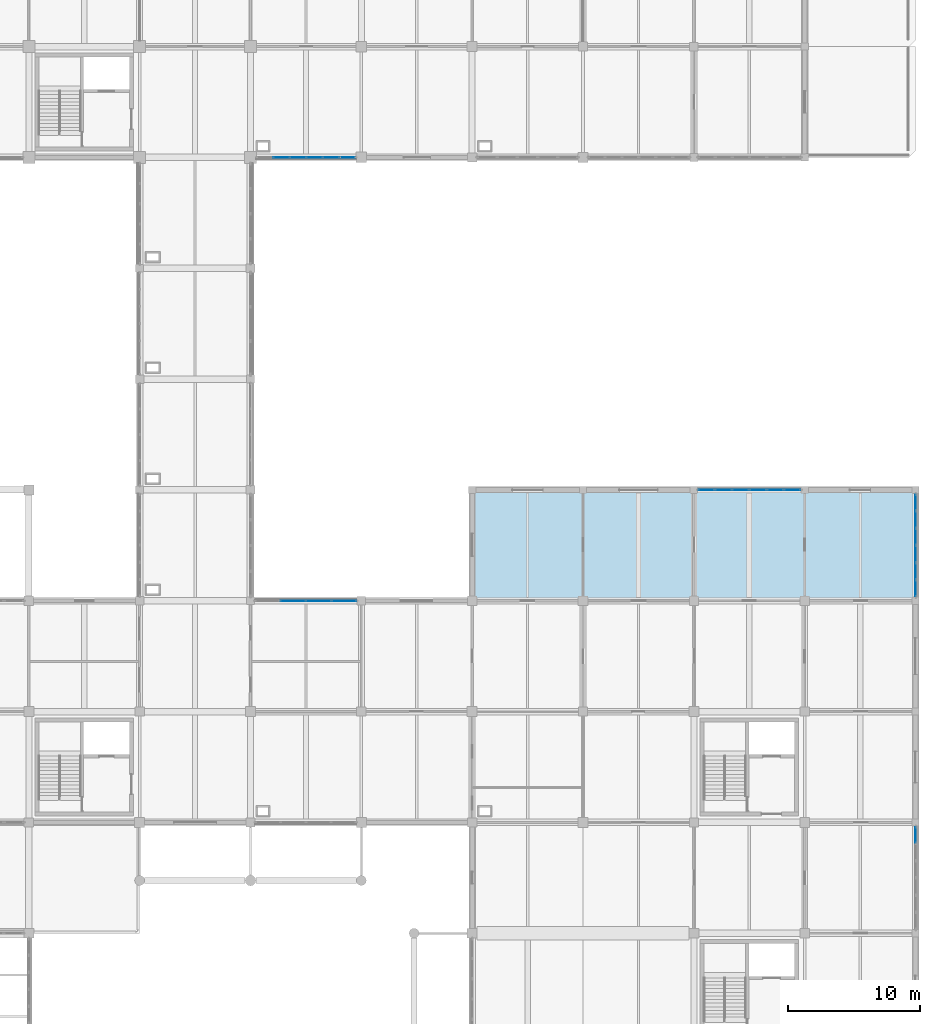
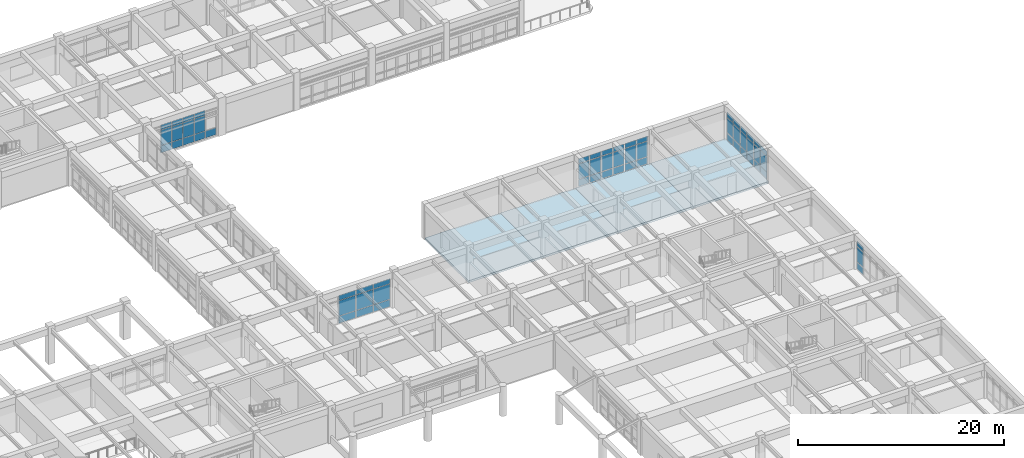
# One storey, part 75 of 99: 61 plates, 4 slabs, 5 elements without a shape of their own.
"""IFC4 building model written with IfcOpenShell, lengths in metres."""

from ifc_helpers import new_model, si_unit, direction, frame, origin, origin_2d, place, context, subcontext, project, spatial, polyline, rectangle, outline, extrude, material, layer, layer_set, type_object, element, aggregate, save


model = new_model("IFC4")

# Units and contexts
model_context = context("Model", 3, precision=1e-05, world=origin(), true_north=direction((0.0, 1.0)))
body_context = subcontext(model_context, "Body", "Model", "MODEL_VIEW")
ifc_project = project(units=[si_unit("LENGTHUNIT", "METRE"), si_unit("AREAUNIT", "SQUARE_METRE"), si_unit("VOLUMEUNIT", "CUBIC_METRE"), si_unit("PLANEANGLEUNIT", "RADIAN"), si_unit("MASSUNIT", "GRAM", prefix="KILO")], contexts=[model_context])

# Site, building, storey
site_placement = place(None, origin())
site = spatial("IfcSite", under=ifc_project, at=site_placement, CompositionType="ELEMENT")
building_placement = place(site_placement, origin())
building = spatial("IfcBuilding", under=site, at=building_placement, Name="Porcellanite Civic Hall", CompositionType="ELEMENT")
storey_placement = place(building_placement, frame((0.0, 0.0, 5.760009765625)))
storey = spatial("IfcBuildingStorey", under=building, at=storey_placement, Name="L01", CompositionType="ELEMENT", Elevation=5.760009765625)

# Curtain wall, plates
ifc_material_1 = material(Name="Anodised aluminium and solar laminated glass", Category="aluminium")
ifc_layer_1 = layer(ifc_material_1, 0.179931640625)
ifc_layer_set_1 = layer_set([ifc_layer_1], Name="Anodised aluminium and solar laminated glass")
curtain_wall_type_1 = type_object("IfcCurtainWallType", Name="CW-SYS02", PredefinedType="NOTDEFINED", material=ifc_layer_set_1)
curtain_wall_1_placement = place(storey_placement, origin())
curtain_wall_1 = element("IfcCurtainWall", 1, at=curtain_wall_1_placement, inside=storey, type_object=curtain_wall_type_1, Name="Curtain wall CW-126", PredefinedType="NOTDEFINED")
ifc_material_2 = material(Name="Cyclone laminated solar-control low-E glass", Category="glass")
ifc_layer_2 = layer(ifc_material_2, 0.02587890625)
ifc_layer_set_2 = layer_set([ifc_layer_2], Name="Cyclone laminated solar-control low-E glass")
plate_type_1 = type_object("IfcPlateType", Name="CWP-02", PredefinedType="CURTAIN_PANEL", material=ifc_layer_set_2)
plate_1_placement = place(storey_placement, frame((160.548828125, 75.60009765625, 0.06494140625), z_axis=(0.0, 0.0, 1.0), x_axis=(1.0, 0.0, 0.0)))
plate_1 = element("IfcPlate", 2, at=plate_1_placement, type_object=plate_type_1, Name="CW-126 panel 1.1", PredefinedType="CURTAIN_PANEL", context=body_context, shape_type="SweptSolid", body=[
    extrude(rectangle(XDim=1.195556640625, YDim=0.02587890625, at=origin_2d()), origin(), (0.0, 0.0, 1.0), 0.802490234375),
])
plate_2_placement = place(storey_placement, frame((160.548828125, 75.60009765625, 0.9326171875), z_axis=(0.0, 0.0, 1.0), x_axis=(1.0, 0.0, 0.0)))
plate_2 = element("IfcPlate", 3, at=plate_2_placement, type_object=plate_type_1, Name="CW-126 panel 1.2", PredefinedType="CURTAIN_PANEL", context=body_context, shape_type="SweptSolid", body=[
    extrude(rectangle(XDim=1.195556640625, YDim=0.02587890625, at=origin_2d()), origin(), (0.0, 0.0, 1.0), 1.784912109375),
])
plate_3_placement = place(storey_placement, frame((160.548828125, 75.60009765625, 2.78271484375), z_axis=(0.0, 0.0, 1.0), x_axis=(1.0, 0.0, 0.0)))
plate_3 = element("IfcPlate", 4, at=plate_3_placement, type_object=plate_type_1, Name="CW-126 panel 1.3", PredefinedType="CURTAIN_PANEL", context=body_context, shape_type="SweptSolid", body=[
    extrude(rectangle(XDim=1.195556640625, YDim=0.02587890625, at=origin_2d()), origin(), (0.0, 0.0, 1.0), 0.552490234375),
])
plate_4_placement = place(storey_placement, frame((161.837890625, 75.60009765625, 0.06494140625), z_axis=(0.0, 0.0, 1.0), x_axis=(1.0, 0.0, 0.0)))
plate_4 = element("IfcPlate", 5, at=plate_4_placement, type_object=plate_type_1, Name="CW-126 panel 2.1", PredefinedType="CURTAIN_PANEL", context=body_context, shape_type="SweptSolid", body=[
    extrude(rectangle(XDim=1.23291015625, YDim=0.02587890625, at=origin_2d()), origin(), (0.0, 0.0, 1.0), 0.802490234375),
])
plate_5_placement = place(storey_placement, frame((161.837890625, 75.60009765625, 0.9326171875), z_axis=(0.0, 0.0, 1.0), x_axis=(1.0, 0.0, 0.0)))
plate_5 = element("IfcPlate", 6, at=plate_5_placement, type_object=plate_type_1, Name="CW-126 panel 2.2", PredefinedType="CURTAIN_PANEL", context=body_context, shape_type="SweptSolid", body=[
    extrude(rectangle(XDim=1.23291015625, YDim=0.02587890625, at=origin_2d()), origin(), (0.0, 0.0, 1.0), 1.784912109375),
])
plate_6_placement = place(storey_placement, frame((161.837890625, 75.60009765625, 2.78271484375), z_axis=(0.0, 0.0, 1.0), x_axis=(1.0, 0.0, 0.0)))
plate_6 = element("IfcPlate", 7, at=plate_6_placement, type_object=plate_type_1, Name="CW-126 panel 2.3", PredefinedType="CURTAIN_PANEL", context=body_context, shape_type="SweptSolid", body=[
    extrude(rectangle(XDim=1.23291015625, YDim=0.02587890625, at=origin_2d()), origin(), (0.0, 0.0, 1.0), 0.552490234375),
])
plate_7_placement = place(storey_placement, frame((163.14599609375, 75.60009765625, 0.06494140625), z_axis=(0.0, 0.0, 1.0), x_axis=(1.0, 0.0, 0.0)))
plate_7 = element("IfcPlate", 8, at=plate_7_placement, type_object=plate_type_1, Name="CW-126 panel 3.1", PredefinedType="CURTAIN_PANEL", context=body_context, shape_type="SweptSolid", body=[
    extrude(rectangle(XDim=1.23291015625, YDim=0.02587890625, at=origin_2d()), origin(), (0.0, 0.0, 1.0), 0.802490234375),
])
plate_8_placement = place(storey_placement, frame((163.14599609375, 75.60009765625, 0.9326171875), z_axis=(0.0, 0.0, 1.0), x_axis=(1.0, 0.0, 0.0)))
plate_8 = element("IfcPlate", 9, at=plate_8_placement, type_object=plate_type_1, Name="CW-126 panel 3.2", PredefinedType="CURTAIN_PANEL", context=body_context, shape_type="SweptSolid", body=[
    extrude(rectangle(XDim=1.23291015625, YDim=0.02587890625, at=origin_2d()), origin(), (0.0, 0.0, 1.0), 1.784912109375),
])
plate_9_placement = place(storey_placement, frame((163.14599609375, 75.60009765625, 2.78271484375), z_axis=(0.0, 0.0, 1.0), x_axis=(1.0, 0.0, 0.0)))
plate_9 = element("IfcPlate", 10, at=plate_9_placement, type_object=plate_type_1, Name="CW-126 panel 3.3", PredefinedType="CURTAIN_PANEL", context=body_context, shape_type="SweptSolid", body=[
    extrude(rectangle(XDim=1.23291015625, YDim=0.02587890625, at=origin_2d()), origin(), (0.0, 0.0, 1.0), 0.552490234375),
])
plate_10_placement = place(storey_placement, frame((164.4541015625, 75.60009765625, 0.06494140625), z_axis=(0.0, 0.0, 1.0), x_axis=(1.0, 0.0, 0.0)))
plate_10 = element("IfcPlate", 11, at=plate_10_placement, type_object=plate_type_1, Name="CW-126 panel 4.1", PredefinedType="CURTAIN_PANEL", context=body_context, shape_type="SweptSolid", body=[
    extrude(rectangle(XDim=1.23291015625, YDim=0.02587890625, at=origin_2d()), origin(), (0.0, 0.0, 1.0), 0.802490234375),
])
plate_11_placement = place(storey_placement, frame((164.4541015625, 75.60009765625, 0.9326171875), z_axis=(0.0, 0.0, 1.0), x_axis=(1.0, 0.0, 0.0)))
plate_11 = element("IfcPlate", 12, at=plate_11_placement, type_object=plate_type_1, Name="CW-126 panel 4.2", PredefinedType="CURTAIN_PANEL", context=body_context, shape_type="SweptSolid", body=[
    extrude(rectangle(XDim=1.23291015625, YDim=0.02587890625, at=origin_2d()), origin(), (0.0, 0.0, 1.0), 1.784912109375),
])
plate_12_placement = place(storey_placement, frame((164.4541015625, 75.60009765625, 2.78271484375), z_axis=(0.0, 0.0, 1.0), x_axis=(1.0, 0.0, 0.0)))
plate_12 = element("IfcPlate", 13, at=plate_12_placement, type_object=plate_type_1, Name="CW-126 panel 4.3", PredefinedType="CURTAIN_PANEL", context=body_context, shape_type="SweptSolid", body=[
    extrude(rectangle(XDim=1.23291015625, YDim=0.02587890625, at=origin_2d()), origin(), (0.0, 0.0, 1.0), 0.552490234375),
])
plate_13_placement = place(storey_placement, frame((165.761962890625, 75.60009765625, 0.06494140625), z_axis=(0.0, 0.0, 1.0), x_axis=(1.0, 0.0, 0.0)))
plate_13 = element("IfcPlate", 14, at=plate_13_placement, type_object=plate_type_1, Name="CW-126 panel 5.1", PredefinedType="CURTAIN_PANEL", context=body_context, shape_type="SweptSolid", body=[
    extrude(rectangle(XDim=1.23291015625, YDim=0.02587890625, at=origin_2d()), origin(), (0.0, 0.0, 1.0), 0.802490234375),
])
plate_14_placement = place(storey_placement, frame((165.761962890625, 75.60009765625, 0.9326171875), z_axis=(0.0, 0.0, 1.0), x_axis=(1.0, 0.0, 0.0)))
plate_14 = element("IfcPlate", 15, at=plate_14_placement, type_object=plate_type_1, Name="CW-126 panel 5.2", PredefinedType="CURTAIN_PANEL", context=body_context, shape_type="SweptSolid", body=[
    extrude(rectangle(XDim=1.23291015625, YDim=0.02587890625, at=origin_2d()), origin(), (0.0, 0.0, 1.0), 1.784912109375),
])
plate_15_placement = place(storey_placement, frame((165.761962890625, 75.60009765625, 2.78271484375), z_axis=(0.0, 0.0, 1.0), x_axis=(1.0, 0.0, 0.0)))
plate_15 = element("IfcPlate", 16, at=plate_15_placement, type_object=plate_type_1, Name="CW-126 panel 5.3", PredefinedType="CURTAIN_PANEL", context=body_context, shape_type="SweptSolid", body=[
    extrude(rectangle(XDim=1.23291015625, YDim=0.02587890625, at=origin_2d()), origin(), (0.0, 0.0, 1.0), 0.552490234375),
])
plate_16_placement = place(storey_placement, frame((167.05126953125, 75.60009765625, 0.06494140625), z_axis=(0.0, 0.0, 1.0), x_axis=(1.0, 0.0, 0.0)))
plate_16 = element("IfcPlate", 17, at=plate_16_placement, type_object=plate_type_1, Name="CW-126 panel 6.1", PredefinedType="CURTAIN_PANEL", context=body_context, shape_type="SweptSolid", body=[
    extrude(rectangle(XDim=1.195556640625, YDim=0.02587890625, at=origin_2d()), origin(), (0.0, 0.0, 1.0), 0.802490234375),
])
plate_17_placement = place(storey_placement, frame((167.05126953125, 75.60009765625, 0.9326171875), z_axis=(0.0, 0.0, 1.0), x_axis=(1.0, 0.0, 0.0)))
plate_17 = element("IfcPlate", 18, at=plate_17_placement, type_object=plate_type_1, Name="CW-126 panel 6.2", PredefinedType="CURTAIN_PANEL", context=body_context, shape_type="SweptSolid", body=[
    extrude(rectangle(XDim=1.195556640625, YDim=0.02587890625, at=origin_2d()), origin(), (0.0, 0.0, 1.0), 1.784912109375),
])
plate_18_placement = place(storey_placement, frame((167.05126953125, 75.60009765625, 2.78271484375), z_axis=(0.0, 0.0, 1.0), x_axis=(1.0, 0.0, 0.0)))
plate_18 = element("IfcPlate", 19, at=plate_18_placement, type_object=plate_type_1, Name="CW-126 panel 6.3", PredefinedType="CURTAIN_PANEL", context=body_context, shape_type="SweptSolid", body=[
    extrude(rectangle(XDim=1.195556640625, YDim=0.02587890625, at=origin_2d()), origin(), (0.0, 0.0, 1.0), 0.552490234375),
])
aggregate(curtain_wall_1, [plate_1, plate_2, plate_3, plate_4, plate_5, plate_6, plate_7, plate_8, plate_9, plate_10, plate_11, plate_12, plate_13, plate_14, plate_15, plate_16, plate_17, plate_18])

curtain_wall_2_placement = place(storey_placement, origin())
curtain_wall_2 = element("IfcCurtainWall", 20, at=curtain_wall_2_placement, inside=storey, type_object=curtain_wall_type_1, Name="Curtain wall CW-130", PredefinedType="NOTDEFINED")
plate_19_placement = place(storey_placement, frame((176.39990234375, 49.451171875, 0.06494140625), z_axis=(0.0, 0.0, 1.0), x_axis=(0.0, -1.0, 0.0)))
plate_19 = element("IfcPlate", 21, at=plate_19_placement, type_object=plate_type_1, Name="CW-130 panel 1.1", PredefinedType="CURTAIN_PANEL", context=body_context, shape_type="SweptSolid", body=[
    extrude(rectangle(XDim=1.195556640625, YDim=0.02587890625, at=origin_2d()), origin(), (0.0, 0.0, 1.0), 0.802490234375),
])
plate_20_placement = place(storey_placement, frame((176.39990234375, 49.451171875, 0.9326171875), z_axis=(0.0, 0.0, 1.0), x_axis=(0.0, -1.0, 0.0)))
plate_20 = element("IfcPlate", 22, at=plate_20_placement, type_object=plate_type_1, Name="CW-130 panel 1.2", PredefinedType="CURTAIN_PANEL", context=body_context, shape_type="SweptSolid", body=[
    extrude(rectangle(XDim=1.195556640625, YDim=0.02587890625, at=origin_2d()), origin(), (0.0, 0.0, 1.0), 1.784912109375),
])
plate_21_placement = place(storey_placement, frame((176.39990234375, 49.451171875, 2.78271484375), z_axis=(0.0, 0.0, 1.0), x_axis=(0.0, -1.0, 0.0)))
plate_21 = element("IfcPlate", 23, at=plate_21_placement, type_object=plate_type_1, Name="CW-130 panel 1.3", PredefinedType="CURTAIN_PANEL", context=body_context, shape_type="SweptSolid", body=[
    extrude(rectangle(XDim=1.195556640625, YDim=0.02587890625, at=origin_2d()), origin(), (0.0, 0.0, 1.0), 0.552490234375),
])
aggregate(curtain_wall_2, [plate_19, plate_20, plate_21])

curtain_wall_3_placement = place(storey_placement, origin())
curtain_wall_3 = element("IfcCurtainWall", 24, at=curtain_wall_3_placement, inside=storey, type_object=curtain_wall_type_1, Name="Curtain wall CW-131", PredefinedType="NOTDEFINED")
plate_22_placement = place(storey_placement, frame((176.39990234375, 74.6513671875, 0.06494140625), z_axis=(0.0, 0.0, 1.0), x_axis=(0.0, -1.0, 0.0)))
plate_22 = element("IfcPlate", 25, at=plate_22_placement, type_object=plate_type_1, Name="CW-131 panel 1.1", PredefinedType="CURTAIN_PANEL", context=body_context, shape_type="SweptSolid", body=[
    extrude(rectangle(XDim=1.195556640625, YDim=0.02587890625, at=origin_2d()), origin(), (0.0, 0.0, 1.0), 0.802490234375),
])
plate_23_placement = place(storey_placement, frame((176.39990234375, 74.6513671875, 0.9326171875), z_axis=(0.0, 0.0, 1.0), x_axis=(0.0, -1.0, 0.0)))
plate_23 = element("IfcPlate", 26, at=plate_23_placement, type_object=plate_type_1, Name="CW-131 panel 1.2", PredefinedType="CURTAIN_PANEL", context=body_context, shape_type="SweptSolid", body=[
    extrude(rectangle(XDim=1.195556640625, YDim=0.02587890625, at=origin_2d()), origin(), (0.0, 0.0, 1.0), 1.784912109375),
])
plate_24_placement = place(storey_placement, frame((176.39990234375, 74.6513671875, 2.78271484375), z_axis=(0.0, 0.0, 1.0), x_axis=(0.0, -1.0, 0.0)))
plate_24 = element("IfcPlate", 27, at=plate_24_placement, type_object=plate_type_1, Name="CW-131 panel 1.3", PredefinedType="CURTAIN_PANEL", context=body_context, shape_type="SweptSolid", body=[
    extrude(rectangle(XDim=1.195556640625, YDim=0.02587890625, at=origin_2d()), origin(), (0.0, 0.0, 1.0), 0.552490234375),
])
plate_25_placement = place(storey_placement, frame((176.39990234375, 73.362060546875, 0.06494140625), z_axis=(0.0, 0.0, 1.0), x_axis=(0.0, -1.0, 0.0)))
plate_25 = element("IfcPlate", 28, at=plate_25_placement, type_object=plate_type_1, Name="CW-131 panel 2.1", PredefinedType="CURTAIN_PANEL", context=body_context, shape_type="SweptSolid", body=[
    extrude(rectangle(XDim=1.23291015625, YDim=0.02587890625, at=origin_2d()), origin(), (0.0, 0.0, 1.0), 0.802490234375),
])
plate_26_placement = place(storey_placement, frame((176.39990234375, 73.362060546875, 0.9326171875), z_axis=(0.0, 0.0, 1.0), x_axis=(0.0, -1.0, 0.0)))
plate_26 = element("IfcPlate", 29, at=plate_26_placement, type_object=plate_type_1, Name="CW-131 panel 2.2", PredefinedType="CURTAIN_PANEL", context=body_context, shape_type="SweptSolid", body=[
    extrude(rectangle(XDim=1.23291015625, YDim=0.02587890625, at=origin_2d()), origin(), (0.0, 0.0, 1.0), 1.784912109375),
])
plate_27_placement = place(storey_placement, frame((176.39990234375, 73.362060546875, 2.78271484375), z_axis=(0.0, 0.0, 1.0), x_axis=(0.0, -1.0, 0.0)))
plate_27 = element("IfcPlate", 30, at=plate_27_placement, type_object=plate_type_1, Name="CW-131 panel 2.3", PredefinedType="CURTAIN_PANEL", context=body_context, shape_type="SweptSolid", body=[
    extrude(rectangle(XDim=1.23291015625, YDim=0.02587890625, at=origin_2d()), origin(), (0.0, 0.0, 1.0), 0.552490234375),
])
plate_28_placement = place(storey_placement, frame((176.39990234375, 72.053955078125, 0.06494140625), z_axis=(0.0, 0.0, 1.0), x_axis=(0.0, -1.0, 0.0)))
plate_28 = element("IfcPlate", 31, at=plate_28_placement, type_object=plate_type_1, Name="CW-131 panel 3.1", PredefinedType="CURTAIN_PANEL", context=body_context, shape_type="SweptSolid", body=[
    extrude(rectangle(XDim=1.23291015625, YDim=0.02587890625, at=origin_2d()), origin(), (0.0, 0.0, 1.0), 0.802490234375),
])
plate_29_placement = place(storey_placement, frame((176.39990234375, 72.053955078125, 0.9326171875), z_axis=(0.0, 0.0, 1.0), x_axis=(0.0, -1.0, 0.0)))
plate_29 = element("IfcPlate", 32, at=plate_29_placement, type_object=plate_type_1, Name="CW-131 panel 3.2", PredefinedType="CURTAIN_PANEL", context=body_context, shape_type="SweptSolid", body=[
    extrude(rectangle(XDim=1.23291015625, YDim=0.02587890625, at=origin_2d()), origin(), (0.0, 0.0, 1.0), 1.784912109375),
])
plate_30_placement = place(storey_placement, frame((176.39990234375, 72.053955078125, 2.78271484375), z_axis=(0.0, 0.0, 1.0), x_axis=(0.0, -1.0, 0.0)))
plate_30 = element("IfcPlate", 33, at=plate_30_placement, type_object=plate_type_1, Name="CW-131 panel 3.3", PredefinedType="CURTAIN_PANEL", context=body_context, shape_type="SweptSolid", body=[
    extrude(rectangle(XDim=1.23291015625, YDim=0.02587890625, at=origin_2d()), origin(), (0.0, 0.0, 1.0), 0.552490234375),
])
plate_31_placement = place(storey_placement, frame((176.39990234375, 70.74609375, 0.06494140625), z_axis=(0.0, 0.0, 1.0), x_axis=(0.0, -1.0, 0.0)))
plate_31 = element("IfcPlate", 34, at=plate_31_placement, type_object=plate_type_1, Name="CW-131 panel 4.1", PredefinedType="CURTAIN_PANEL", context=body_context, shape_type="SweptSolid", body=[
    extrude(rectangle(XDim=1.23291015625, YDim=0.02587890625, at=origin_2d()), origin(), (0.0, 0.0, 1.0), 0.802490234375),
])
plate_32_placement = place(storey_placement, frame((176.39990234375, 70.74609375, 0.9326171875), z_axis=(0.0, 0.0, 1.0), x_axis=(0.0, -1.0, 0.0)))
plate_32 = element("IfcPlate", 35, at=plate_32_placement, type_object=plate_type_1, Name="CW-131 panel 4.2", PredefinedType="CURTAIN_PANEL", context=body_context, shape_type="SweptSolid", body=[
    extrude(rectangle(XDim=1.23291015625, YDim=0.02587890625, at=origin_2d()), origin(), (0.0, 0.0, 1.0), 1.784912109375),
])
plate_33_placement = place(storey_placement, frame((176.39990234375, 70.74609375, 2.78271484375), z_axis=(0.0, 0.0, 1.0), x_axis=(0.0, -1.0, 0.0)))
plate_33 = element("IfcPlate", 36, at=plate_33_placement, type_object=plate_type_1, Name="CW-131 panel 4.3", PredefinedType="CURTAIN_PANEL", context=body_context, shape_type="SweptSolid", body=[
    extrude(rectangle(XDim=1.23291015625, YDim=0.02587890625, at=origin_2d()), origin(), (0.0, 0.0, 1.0), 0.552490234375),
])
plate_34_placement = place(storey_placement, frame((176.39990234375, 69.43798828125, 0.06494140625), z_axis=(0.0, 0.0, 1.0), x_axis=(0.0, -1.0, 0.0)))
plate_34 = element("IfcPlate", 37, at=plate_34_placement, type_object=plate_type_1, Name="CW-131 panel 5.1", PredefinedType="CURTAIN_PANEL", context=body_context, shape_type="SweptSolid", body=[
    extrude(rectangle(XDim=1.23291015625, YDim=0.02587890625, at=origin_2d()), origin(), (0.0, 0.0, 1.0), 0.802490234375),
])
plate_35_placement = place(storey_placement, frame((176.39990234375, 69.43798828125, 0.9326171875), z_axis=(0.0, 0.0, 1.0), x_axis=(0.0, -1.0, 0.0)))
plate_35 = element("IfcPlate", 38, at=plate_35_placement, type_object=plate_type_1, Name="CW-131 panel 5.2", PredefinedType="CURTAIN_PANEL", context=body_context, shape_type="SweptSolid", body=[
    extrude(rectangle(XDim=1.23291015625, YDim=0.02587890625, at=origin_2d()), origin(), (0.0, 0.0, 1.0), 1.784912109375),
])
plate_36_placement = place(storey_placement, frame((176.39990234375, 69.43798828125, 2.78271484375), z_axis=(0.0, 0.0, 1.0), x_axis=(0.0, -1.0, 0.0)))
plate_36 = element("IfcPlate", 39, at=plate_36_placement, type_object=plate_type_1, Name="CW-131 panel 5.3", PredefinedType="CURTAIN_PANEL", context=body_context, shape_type="SweptSolid", body=[
    extrude(rectangle(XDim=1.23291015625, YDim=0.02587890625, at=origin_2d()), origin(), (0.0, 0.0, 1.0), 0.552490234375),
])
plate_37_placement = place(storey_placement, frame((176.39990234375, 68.148681640625, 0.06494140625), z_axis=(0.0, 0.0, 1.0), x_axis=(0.0, -1.0, 0.0)))
plate_37 = element("IfcPlate", 40, at=plate_37_placement, type_object=plate_type_1, Name="CW-131 panel 6.1", PredefinedType="CURTAIN_PANEL", context=body_context, shape_type="SweptSolid", body=[
    extrude(rectangle(XDim=1.195556640625, YDim=0.02587890625, at=origin_2d()), origin(), (0.0, 0.0, 1.0), 0.802490234375),
])
plate_38_placement = place(storey_placement, frame((176.39990234375, 68.148681640625, 0.9326171875), z_axis=(0.0, 0.0, 1.0), x_axis=(0.0, -1.0, 0.0)))
plate_38 = element("IfcPlate", 41, at=plate_38_placement, type_object=plate_type_1, Name="CW-131 panel 6.2", PredefinedType="CURTAIN_PANEL", context=body_context, shape_type="SweptSolid", body=[
    extrude(rectangle(XDim=1.195556640625, YDim=0.02587890625, at=origin_2d()), origin(), (0.0, 0.0, 1.0), 1.784912109375),
])
plate_39_placement = place(storey_placement, frame((176.39990234375, 68.148681640625, 2.78271484375), z_axis=(0.0, 0.0, 1.0), x_axis=(0.0, -1.0, 0.0)))
plate_39 = element("IfcPlate", 42, at=plate_39_placement, type_object=plate_type_1, Name="CW-131 panel 6.3", PredefinedType="CURTAIN_PANEL", context=body_context, shape_type="SweptSolid", body=[
    extrude(rectangle(XDim=1.195556640625, YDim=0.02587890625, at=origin_2d()), origin(), (0.0, 0.0, 1.0), 0.552490234375),
])
aggregate(curtain_wall_3, [plate_22, plate_23, plate_24, plate_25, plate_26, plate_27, plate_28, plate_29, plate_30, plate_31, plate_32, plate_33, plate_34, plate_35, plate_36, plate_37, plate_38, plate_39])

ifc_material_3 = material(Name="Anodised aluminium and solar laminated glass", Category="aluminium")
ifc_layer_3 = layer(ifc_material_3, 0.179931640625)
ifc_layer_set_3 = layer_set([ifc_layer_3], Name="Anodised aluminium and solar laminated glass")
curtain_wall_type_2 = type_object("IfcCurtainWallType", Name="CW-SYS06", PredefinedType="NOTDEFINED", material=ifc_layer_set_3)
curtain_wall_4_placement = place(storey_placement, origin())
curtain_wall_4 = element("IfcCurtainWall", 43, at=curtain_wall_4_placement, inside=storey, type_object=curtain_wall_type_2, Name="Curtain wall CW-116", PredefinedType="NOTDEFINED")
ifc_material_4 = material(Name="Cyclone laminated solar-control low-E glass", Category="glass")
ifc_layer_4 = layer(ifc_material_4, 0.035888671875)
ifc_layer_set_4 = layer_set([ifc_layer_4], Name="Cyclone laminated solar-control low-E glass")
plate_type_2 = type_object("IfcPlateType", Name="CWP-07", PredefinedType="CURTAIN_PANEL", material=ifc_layer_set_4)
plate_40_placement = place(storey_placement, frame((129.2158203125, 67.199951171875, 0.0498046875), z_axis=(0.0, 0.0, 1.0), x_axis=(1.0, 0.0, 0.0)))
plate_40 = element("IfcPlate", 44, at=plate_40_placement, type_object=plate_type_2, Name="CW-116 panel 2.1", PredefinedType="CURTAIN_PANEL", context=body_context, shape_type="SweptSolid", body=[
    extrude(rectangle(XDim=1.878173828125, YDim=0.035888671875, at=origin_2d()), origin(), (0.0, 0.0, 1.0), 0.824951171875),
])
plate_41_placement = place(storey_placement, frame((129.2158203125, 67.199951171875, 0.9248046875), z_axis=(0.0, 0.0, 1.0), x_axis=(1.0, 0.0, 0.0)))
plate_41 = element("IfcPlate", 45, at=plate_41_placement, type_object=plate_type_2, Name="CW-116 panel 2.2", PredefinedType="CURTAIN_PANEL", context=body_context, shape_type="SweptSolid", body=[
    extrude(rectangle(XDim=1.878173828125, YDim=0.035888671875, at=origin_2d()), origin(), (0.0, 0.0, 1.0), 1.800048828125),
])
plate_42_placement = place(storey_placement, frame((129.2158203125, 67.199951171875, 2.77490234375), z_axis=(0.0, 0.0, 1.0), x_axis=(1.0, 0.0, 0.0)))
plate_42 = element("IfcPlate", 46, at=plate_42_placement, type_object=plate_type_2, Name="CW-116 panel 2.3", PredefinedType="CURTAIN_PANEL", context=body_context, shape_type="SweptSolid", body=[
    extrude(rectangle(XDim=1.878173828125, YDim=0.035888671875, at=origin_2d()), origin(), (0.0, 0.0, 1.0), 0.574951171875),
])
plate_43_placement = place(storey_placement, frame((131.1591796875, 67.199951171875, 0.0498046875), z_axis=(0.0, 0.0, 1.0), x_axis=(1.0, 0.0, 0.0)))
plate_43 = element("IfcPlate", 47, at=plate_43_placement, type_object=plate_type_2, Name="CW-116 panel 3.1", PredefinedType="CURTAIN_PANEL", context=body_context, shape_type="SweptSolid", body=[
    extrude(rectangle(XDim=1.878173828125, YDim=0.035888671875, at=origin_2d()), origin(), (0.0, 0.0, 1.0), 0.824951171875),
])
plate_44_placement = place(storey_placement, frame((131.1591796875, 67.199951171875, 0.9248046875), z_axis=(0.0, 0.0, 1.0), x_axis=(1.0, 0.0, 0.0)))
plate_44 = element("IfcPlate", 48, at=plate_44_placement, type_object=plate_type_2, Name="CW-116 panel 3.2", PredefinedType="CURTAIN_PANEL", context=body_context, shape_type="SweptSolid", body=[
    extrude(rectangle(XDim=1.878173828125, YDim=0.035888671875, at=origin_2d()), origin(), (0.0, 0.0, 1.0), 1.800048828125),
])
plate_45_placement = place(storey_placement, frame((131.1591796875, 67.199951171875, 2.77490234375), z_axis=(0.0, 0.0, 1.0), x_axis=(1.0, 0.0, 0.0)))
plate_45 = element("IfcPlate", 49, at=plate_45_placement, type_object=plate_type_2, Name="CW-116 panel 3.3", PredefinedType="CURTAIN_PANEL", context=body_context, shape_type="SweptSolid", body=[
    extrude(rectangle(XDim=1.878173828125, YDim=0.035888671875, at=origin_2d()), origin(), (0.0, 0.0, 1.0), 0.574951171875),
])
plate_46_placement = place(storey_placement, frame((133.086181640625, 67.199951171875, 0.0498046875), z_axis=(0.0, 0.0, 1.0), x_axis=(1.0, 0.0, 0.0)))
plate_46 = element("IfcPlate", 50, at=plate_46_placement, type_object=plate_type_2, Name="CW-116 panel 4.1", PredefinedType="CURTAIN_PANEL", context=body_context, shape_type="SweptSolid", body=[
    extrude(rectangle(XDim=1.845703125, YDim=0.035888671875, at=origin_2d()), origin(), (0.0, 0.0, 1.0), 0.824951171875),
])
plate_47_placement = place(storey_placement, frame((133.086181640625, 67.199951171875, 0.9248046875), z_axis=(0.0, 0.0, 1.0), x_axis=(1.0, 0.0, 0.0)))
plate_47 = element("IfcPlate", 51, at=plate_47_placement, type_object=plate_type_2, Name="CW-116 panel 4.2", PredefinedType="CURTAIN_PANEL", context=body_context, shape_type="SweptSolid", body=[
    extrude(rectangle(XDim=1.845703125, YDim=0.035888671875, at=origin_2d()), origin(), (0.0, 0.0, 1.0), 1.800048828125),
])
plate_48_placement = place(storey_placement, frame((133.086181640625, 67.199951171875, 2.77490234375), z_axis=(0.0, 0.0, 1.0), x_axis=(1.0, 0.0, 0.0)))
plate_48 = element("IfcPlate", 52, at=plate_48_placement, type_object=plate_type_2, Name="CW-116 panel 4.3", PredefinedType="CURTAIN_PANEL", context=body_context, shape_type="SweptSolid", body=[
    extrude(rectangle(XDim=1.845703125, YDim=0.035888671875, at=origin_2d()), origin(), (0.0, 0.0, 1.0), 0.574951171875),
])
aggregate(curtain_wall_4, [plate_40, plate_41, plate_42, plate_43, plate_44, plate_45, plate_46, plate_47, plate_48])

ifc_material_5 = material(Name="Anodised aluminium and solar laminated glass", Category="aluminium")
ifc_layer_5 = layer(ifc_material_5, 0.179931640625)
ifc_layer_set_5 = layer_set([ifc_layer_5], Name="Anodised aluminium and solar laminated glass")
curtain_wall_type_3 = type_object("IfcCurtainWallType", Name="CW-SYS07", PredefinedType="NOTDEFINED", material=ifc_layer_set_5)
curtain_wall_5_placement = place(storey_placement, origin())
curtain_wall_5 = element("IfcCurtainWall", 53, at=curtain_wall_5_placement, inside=storey, type_object=curtain_wall_type_3, Name="Curtain wall CW-117", PredefinedType="NOTDEFINED")
ifc_material_6 = material(Name="Insulated ochre aluminium spandrel panel", Category="aluminium")
ifc_layer_6 = layer(ifc_material_6, 0.0380859375)
ifc_layer_set_6 = layer_set([ifc_layer_6], Name="Insulated ochre aluminium spandrel panel")
plate_type_3 = type_object("IfcPlateType", Name="CWP-08", PredefinedType="CURTAIN_PANEL", material=ifc_layer_set_6)
plate_49_placement = place(storey_placement, frame((133.35498046875, 100.800048828125, 0.0498046875), z_axis=(0.0, 0.0, 1.0), x_axis=(-1.0, 0.0, 0.0)))
plate_49 = element("IfcPlate", 54, at=plate_49_placement, type_object=plate_type_3, Name="CW-117 panel 1.1", PredefinedType="CURTAIN_PANEL", context=body_context, shape_type="SweptSolid", body=[
    extrude(rectangle(XDim=1.16796875, YDim=0.0380859375, at=origin_2d()), origin(), (0.0, 0.0, 1.0), 0.824951171875),
])
plate_50_placement = place(storey_placement, frame((132.112060546875, 100.800048828125, 0.0498046875), z_axis=(0.0, 0.0, 1.0), x_axis=(-1.0, 0.0, 0.0)))
plate_50 = element("IfcPlate", 55, at=plate_50_placement, type_object=plate_type_3, Name="CW-117 panel 2.1", PredefinedType="CURTAIN_PANEL", context=body_context, shape_type="SweptSolid", body=[
    extrude(rectangle(XDim=1.197998046875, YDim=0.0380859375, at=origin_2d()), origin(), (0.0, 0.0, 1.0), 0.824951171875),
])
plate_51_placement = place(storey_placement, frame((132.112060546875, 100.800048828125, 0.9248046875), z_axis=(0.0, 0.0, 1.0), x_axis=(-1.0, 0.0, 0.0)))
plate_51 = element("IfcPlate", 56, at=plate_51_placement, type_object=plate_type_3, Name="CW-117 panel 2.2", PredefinedType="CURTAIN_PANEL", context=body_context, shape_type="SweptSolid", body=[
    extrude(rectangle(XDim=1.197998046875, YDim=0.0380859375, at=origin_2d()), origin(), (0.0, 0.0, 1.0), 1.800048828125),
])
plate_52_placement = place(storey_placement, frame((132.112060546875, 100.800048828125, 2.77490234375), z_axis=(0.0, 0.0, 1.0), x_axis=(-1.0, 0.0, 0.0)))
plate_52 = element("IfcPlate", 57, at=plate_52_placement, type_object=plate_type_3, Name="CW-117 panel 2.3", PredefinedType="CURTAIN_PANEL", context=body_context, shape_type="SweptSolid", body=[
    extrude(rectangle(XDim=1.197998046875, YDim=0.0380859375, at=origin_2d()), origin(), (0.0, 0.0, 1.0), 0.574951171875),
])
plate_53_placement = place(storey_placement, frame((130.85400390625, 100.800048828125, 0.0498046875), z_axis=(0.0, 0.0, 1.0), x_axis=(-1.0, 0.0, 0.0)))
plate_53 = element("IfcPlate", 58, at=plate_53_placement, type_object=plate_type_3, Name="CW-117 panel 3.1", PredefinedType="CURTAIN_PANEL", context=body_context, shape_type="SweptSolid", body=[
    extrude(rectangle(XDim=1.197998046875, YDim=0.0380859375, at=origin_2d()), origin(), (0.0, 0.0, 1.0), 0.824951171875),
])
plate_54_placement = place(storey_placement, frame((130.85400390625, 100.800048828125, 0.9248046875), z_axis=(0.0, 0.0, 1.0), x_axis=(-1.0, 0.0, 0.0)))
plate_54 = element("IfcPlate", 59, at=plate_54_placement, type_object=plate_type_3, Name="CW-117 panel 3.2", PredefinedType="CURTAIN_PANEL", context=body_context, shape_type="SweptSolid", body=[
    extrude(rectangle(XDim=1.197998046875, YDim=0.0380859375, at=origin_2d()), origin(), (0.0, 0.0, 1.0), 1.800048828125),
])
plate_55_placement = place(storey_placement, frame((130.85400390625, 100.800048828125, 2.77490234375), z_axis=(0.0, 0.0, 1.0), x_axis=(-1.0, 0.0, 0.0)))
plate_55 = element("IfcPlate", 60, at=plate_55_placement, type_object=plate_type_3, Name="CW-117 panel 3.3", PredefinedType="CURTAIN_PANEL", context=body_context, shape_type="SweptSolid", body=[
    extrude(rectangle(XDim=1.197998046875, YDim=0.0380859375, at=origin_2d()), origin(), (0.0, 0.0, 1.0), 0.574951171875),
])
plate_56_placement = place(storey_placement, frame((129.595947265625, 100.800048828125, 0.0498046875), z_axis=(0.0, 0.0, 1.0), x_axis=(-1.0, 0.0, 0.0)))
plate_56 = element("IfcPlate", 61, at=plate_56_placement, type_object=plate_type_3, Name="CW-117 panel 4.1", PredefinedType="CURTAIN_PANEL", context=body_context, shape_type="SweptSolid", body=[
    extrude(rectangle(XDim=1.197998046875, YDim=0.0380859375, at=origin_2d()), origin(), (0.0, 0.0, 1.0), 0.824951171875),
])
plate_57_placement = place(storey_placement, frame((129.595947265625, 100.800048828125, 0.9248046875), z_axis=(0.0, 0.0, 1.0), x_axis=(-1.0, 0.0, 0.0)))
plate_57 = element("IfcPlate", 62, at=plate_57_placement, type_object=plate_type_3, Name="CW-117 panel 4.2", PredefinedType="CURTAIN_PANEL", context=body_context, shape_type="SweptSolid", body=[
    extrude(rectangle(XDim=1.197998046875, YDim=0.0380859375, at=origin_2d()), origin(), (0.0, 0.0, 1.0), 1.800048828125),
])
plate_58_placement = place(storey_placement, frame((129.595947265625, 100.800048828125, 2.77490234375), z_axis=(0.0, 0.0, 1.0), x_axis=(-1.0, 0.0, 0.0)))
plate_58 = element("IfcPlate", 63, at=plate_58_placement, type_object=plate_type_3, Name="CW-117 panel 4.3", PredefinedType="CURTAIN_PANEL", context=body_context, shape_type="SweptSolid", body=[
    extrude(rectangle(XDim=1.197998046875, YDim=0.0380859375, at=origin_2d()), origin(), (0.0, 0.0, 1.0), 0.574951171875),
])
plate_59_placement = place(storey_placement, frame((128.337890625, 100.800048828125, 0.0498046875), z_axis=(0.0, 0.0, 1.0), x_axis=(-1.0, 0.0, 0.0)))
plate_59 = element("IfcPlate", 64, at=plate_59_placement, type_object=plate_type_3, Name="CW-117 panel 5.1", PredefinedType="CURTAIN_PANEL", context=body_context, shape_type="SweptSolid", body=[
    extrude(rectangle(XDim=1.197998046875, YDim=0.0380859375, at=origin_2d()), origin(), (0.0, 0.0, 1.0), 0.824951171875),
])
plate_60_placement = place(storey_placement, frame((128.337890625, 100.800048828125, 0.9248046875), z_axis=(0.0, 0.0, 1.0), x_axis=(-1.0, 0.0, 0.0)))
plate_60 = element("IfcPlate", 65, at=plate_60_placement, type_object=plate_type_3, Name="CW-117 panel 5.2", PredefinedType="CURTAIN_PANEL", context=body_context, shape_type="SweptSolid", body=[
    extrude(rectangle(XDim=1.197998046875, YDim=0.0380859375, at=origin_2d()), origin(), (0.0, 0.0, 1.0), 1.800048828125),
])
plate_61_placement = place(storey_placement, frame((128.337890625, 100.800048828125, 2.77490234375), z_axis=(0.0, 0.0, 1.0), x_axis=(-1.0, 0.0, 0.0)))
plate_61 = element("IfcPlate", 66, at=plate_61_placement, type_object=plate_type_3, Name="CW-117 panel 5.3", PredefinedType="CURTAIN_PANEL", context=body_context, shape_type="SweptSolid", body=[
    extrude(rectangle(XDim=1.197998046875, YDim=0.0380859375, at=origin_2d()), origin(), (0.0, 0.0, 1.0), 0.574951171875),
])
aggregate(curtain_wall_5, [plate_49, plate_50, plate_51, plate_52, plate_53, plate_54, plate_55, plate_56, plate_57, plate_58, plate_59, plate_60, plate_61])

# Slabs
ifc_material_7 = material(Name="Concrete N40 (40 MPa)", Category="concrete")
ifc_layer_7 = layer(ifc_material_7, 0.25)
ifc_layer_set_7 = layer_set([ifc_layer_7], Name="Concrete N40 (40 MPa)")
slab_type_1 = type_object("IfcSlabType", Name="SL-FL250", PredefinedType="FLOOR", material=ifc_layer_set_7)
slab_1_placement = place(storey_placement, frame((0.0, 0.0, -0.25)))
element("IfcSlab", 67, at=slab_1_placement, inside=storey, type_object=slab_type_1, Name="Slab L01 bay 18-9", PredefinedType="FLOOR", context=body_context, shape_type="SweptSolid", body=[
    extrude(outline(polyline([(142.800048828125, 67.199951171875), (151.199951171875, 67.199951171875), (151.199951171875, 75.60009765625), (142.800048828125, 75.60009765625), (142.800048828125, 67.199951171875)])), origin(), (0.0, 0.0, 1.0), 0.25),
])
slab_2_placement = place(storey_placement, frame((0.0, 0.0, -0.25)))
element("IfcSlab", 68, at=slab_2_placement, inside=storey, type_object=slab_type_1, Name="Slab L01 bay 19-9", PredefinedType="FLOOR", context=body_context, shape_type="SweptSolid", body=[
    extrude(outline(polyline([(151.199951171875, 67.199951171875), (159.60009765625, 67.199951171875), (159.60009765625, 75.60009765625), (151.199951171875, 75.60009765625), (151.199951171875, 67.199951171875)])), origin(), (0.0, 0.0, 1.0), 0.25),
])
slab_3_placement = place(storey_placement, frame((0.0, 0.0, -0.25)))
element("IfcSlab", 69, at=slab_3_placement, inside=storey, type_object=slab_type_1, Name="Slab L01 bay 21-9", PredefinedType="FLOOR", context=body_context, shape_type="SweptSolid", body=[
    extrude(outline(polyline([(168.0, 67.199951171875), (176.39990234375, 67.199951171875), (176.39990234375, 75.60009765625), (168.0, 75.60009765625), (168.0, 67.199951171875)])), origin(), (0.0, 0.0, 1.0), 0.25),
])
ifc_material_8 = material(Name="Concrete N40 (40 MPa)", Category="concrete")
ifc_layer_8 = layer(ifc_material_8, 0.260009765625)
ifc_layer_set_8 = layer_set([ifc_layer_8], Name="Concrete N40 (40 MPa)")
slab_type_2 = type_object("IfcSlabType", Name="SL-FL260", PredefinedType="FLOOR", material=ifc_layer_set_8)
slab_4_placement = place(storey_placement, frame((0.0, 0.0, -0.260009765625)))
element("IfcSlab", 70, at=slab_4_placement, inside=storey, type_object=slab_type_2, Name="Slab L01 bay 20-9", PredefinedType="FLOOR", context=body_context, shape_type="SweptSolid", body=[
    extrude(outline(polyline([(159.60009765625, 67.199951171875), (168.0, 67.199951171875), (168.0, 75.60009765625), (159.60009765625, 75.60009765625), (159.60009765625, 67.199951171875)])), origin(), (0.0, 0.0, 1.0), 0.260009765625),
])

save(model, "model.ifc")
